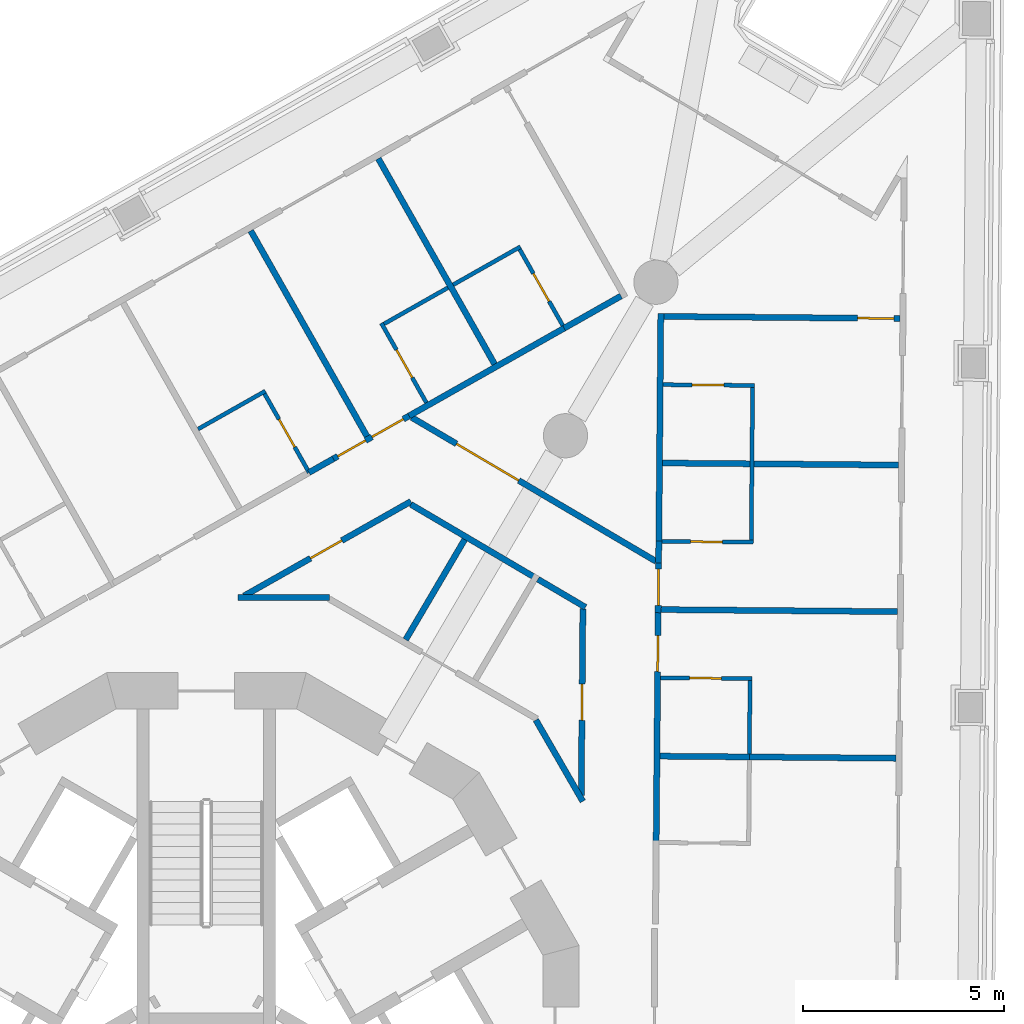
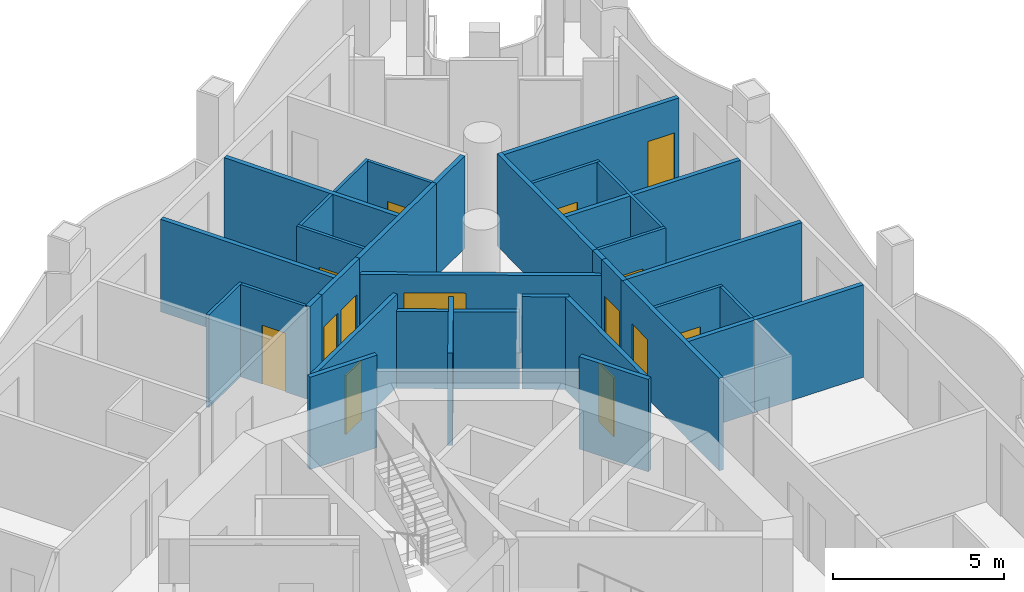
# One storey, part 9 of 17: 34 walls, 14 doors, 14 openings.
"""IFC4 building model written with IfcOpenShell, lengths in metres."""

from ifc_helpers import new_model, si_unit, direction, frame, frame_2d, origin, place, context, subcontext, project, spatial, rectangle, extrude, material, layer, layer_set, type_object, element, fill, save


model = new_model("IFC4")

# Units and contexts
model_context = context("Model", 3, precision=1e-05, world=origin(), true_north=direction((0.0, 1.0)))
body_context = subcontext(model_context, "Body", "Model", "MODEL_VIEW")
ifc_project = project(units=[si_unit("LENGTHUNIT", "METRE"), si_unit("AREAUNIT", "SQUARE_METRE"), si_unit("VOLUMEUNIT", "CUBIC_METRE"), si_unit("PLANEANGLEUNIT", "RADIAN"), si_unit("MASSUNIT", "GRAM", prefix="KILO")], contexts=[model_context])

# Site, building, storey
site_placement = place(None, origin())
site = spatial("IfcSite", under=ifc_project, at=site_placement, CompositionType="ELEMENT")
building_placement = place(site_placement, origin())
building = spatial("IfcBuilding", under=site, at=building_placement, Name="Trine Commons Tower", CompositionType="ELEMENT")
storey_placement = place(building_placement, frame((0.0, 0.0, 179.10009765625)))
storey = spatial("IfcBuildingStorey", under=building, at=storey_placement, Name="L46", CompositionType="ELEMENT", Elevation=179.10009765625)

# Wall
ifc_material_1 = material(Name="Gypsum plasterboard on steel stud", Category="steel")
ifc_layer_1 = layer(ifc_material_1, 0.14990234375)
ifc_layer_set_1 = layer_set([ifc_layer_1], Name="Gypsum plasterboard on steel stud")
wall_type_1 = type_object("IfcWallType", Name="Unit and corridor wall 150 mm, EI 60", PredefinedType="PARTITIONING", material=ifc_layer_set_1)
wall_1_placement = place(storey_placement, frame((80.79296875, 73.64794921875, 0.0), z_axis=(0.0, 0.0, 1.0), x_axis=(1.0, 0.0, 0.0)))
element("IfcWall", 1, at=wall_1_placement, inside=storey, type_object=wall_type_1, Name="Partition 072", PredefinedType="PARTITIONING", context=body_context, shape_type="SweptSolid", body=[
    extrude(rectangle(XDim=2.26904296875, YDim=0.14990234375, at=frame_2d((1.134521484375, 0.0))), origin(), (0.0, 0.0, 1.0), 3.2998046875),
])

# Wall, opening, door
wall_2_placement = place(storey_placement, frame((80.937255859375, 73.684814453125, 0.0), z_axis=(0.0, 0.0, 1.0), x_axis=(0.870319748897, 0.492487090876, 0.0)))
wall_2 = element("IfcWall", 2, at=wall_2_placement, inside=storey, type_object=wall_type_1, Name="Partition 073", PredefinedType="PARTITIONING", context=body_context, shape_type="SweptSolid", body=[
    extrude(rectangle(XDim=4.77197265625, YDim=0.14990234375, at=frame_2d((2.385986328125, 0.0))), origin(), (0.0, 0.0, 1.0), 3.2998046875),
])
opening_1_placement = place(wall_2_placement, frame((1.8984375, 0.0, 0.0)))
opening_1 = element("IfcOpeningElement", 3, at=opening_1_placement, cuts=wall_2, Name="Opening D-5B31", PredefinedType="OPENING", context=body_context, shape_type="SweptSolid", body=[
    extrude(rectangle(XDim=0.89990234375, YDim=2.10009765625, at=frame_2d((0.449951171875, 1.050048828125))), frame((0.0, 0.0849609375, 0.0), z_axis=(0.0, -1.0, 0.0), x_axis=(1.0, 0.0, 0.0)), (0.0, 0.0, 1.0), 0.169921875),
])
ifc_material_2 = material(Name="Timber fire door set", Category="wood")
door_type_1 = type_object("IfcDoorType", Name="Service door 900 x 2100, FD30S", OperationType="NOTDEFINED", PredefinedType="DOOR", material=ifc_material_2)
door_1_placement = place(opening_1_placement, frame((0.89990234375, 0.0, 0.0), z_axis=(0.0, 0.0, 1.0), x_axis=(-1.0, 0.0, 0.0)))
door_1 = element("IfcDoor", 4, at=door_1_placement, inside=storey, type_object=door_type_1, Name="Door D-5B31", OperationType="SINGLE_SWING_RIGHT", OverallHeight=2.10009765625, OverallWidth=0.89990234375, PredefinedType="DOOR", context=body_context, shape_type="SweptSolid", body=[
    extrude(rectangle(XDim=0.89990234375, YDim=2.10009765625, at=frame_2d((0.449951171875, 1.050048828125))), frame((0.0, 0.02490234375, 0.0), z_axis=(0.0, -1.0, 0.0), x_axis=(1.0, 0.0, 0.0)), (0.0, 0.0, 1.0), 0.050048828125),
])
fill(opening_1, door_1)

# Walls
wall_3_placement = place(storey_placement, frame((81.103759765625, 82.769287109375, 0.0), z_axis=(0.0, 0.0, 1.0), x_axis=(0.492361245758, -0.870390948756, 0.0)))
element("IfcWall", 5, at=wall_3_placement, inside=storey, type_object=wall_type_1, Name="Partition 074", PredefinedType="PARTITIONING", context=body_context, shape_type="SweptSolid", body=[
    extrude(rectangle(XDim=5.87451171875, YDim=0.14990234375, at=frame_2d((2.937255859375, 0.0))), origin(), (0.0, 0.0, 1.0), 3.2998046875),
])
wall_4_placement = place(storey_placement, frame((82.552978515625, 76.7529296875, 0.0), z_axis=(0.0, 0.0, 1.0), x_axis=(0.869982154761, 0.493083208391, 0.0)))
element("IfcWall", 6, at=wall_4_placement, inside=storey, type_object=wall_type_1, Name="Partition 077", PredefinedType="PARTITIONING", context=body_context, shape_type="SweptSolid", body=[
    extrude(rectangle(XDim=0.69775390625, YDim=0.14990234375, at=frame_2d((0.348876953125, 0.0))), origin(), (0.0, 0.0, 1.0), 3.2998046875),
])

# Wall, openings, doors
wall_5_placement = place(storey_placement, frame((83.159912109375, 77.096923828125, 0.0), z_axis=(0.0, 0.0, 1.0), x_axis=(0.870310669697, 0.49250313523, 0.0)))
wall_5 = element("IfcWall", 7, at=wall_5_placement, inside=storey, type_object=wall_type_1, Name="Partition 080", PredefinedType="PARTITIONING", context=body_context, shape_type="SweptSolid", body=[
    extrude(rectangle(XDim=2.164794921875, YDim=0.14990234375, at=frame_2d((1.08251953125, 0.0))), origin(), (0.0, 0.0, 1.0), 3.2998046875),
])
opening_2_placement = place(wall_5_placement, frame((0.123046875, 0.0, 0.0)))
opening_2 = element("IfcOpeningElement", 8, at=opening_2_placement, cuts=wall_5, Name="Opening D-5B12", PredefinedType="OPENING", context=body_context, shape_type="SweptSolid", body=[
    extrude(rectangle(XDim=0.800048828125, YDim=2.10009765625, at=frame_2d((0.39990234375, 1.050048828125))), frame((0.0, 0.0849609375, 0.0), z_axis=(0.0, -1.0, 0.0), x_axis=(1.0, 0.0, 0.0)), (0.0, 0.0, 1.0), 0.169921875),
])
opening_3_placement = place(wall_5_placement, frame((1.10302734375, 0.0, 0.0)))
opening_3 = element("IfcOpeningElement", 9, at=opening_3_placement, cuts=wall_5, Name="Opening D-5B13", PredefinedType="OPENING", context=body_context, shape_type="SweptSolid", body=[
    extrude(rectangle(XDim=0.89990234375, YDim=2.10009765625, at=frame_2d((0.449951171875, 1.050048828125))), frame((0.0, 0.0849609375, 0.0), z_axis=(0.0, -1.0, 0.0), x_axis=(1.0, 0.0, 0.0)), (0.0, 0.0, 1.0), 0.169921875),
])
door_type_2 = type_object("IfcDoorType", Name="Bedroom door 800 x 2100, FD30S", OperationType="NOTDEFINED", PredefinedType="DOOR", material=ifc_material_2)
door_2_placement = place(opening_2_placement, origin())
door_2 = element("IfcDoor", 10, at=door_2_placement, inside=storey, type_object=door_type_2, Name="Door D-5B12", OperationType="SINGLE_SWING_LEFT", OverallHeight=2.10009765625, OverallWidth=0.800048828125, PredefinedType="DOOR", context=body_context, shape_type="SweptSolid", body=[
    extrude(rectangle(XDim=0.800048828125, YDim=2.10009765625, at=frame_2d((0.39990234375, 1.050048828125))), frame((0.0, 0.02490234375, 0.0), z_axis=(0.0, -1.0, 0.0), x_axis=(1.0, 0.0, 0.0)), (0.0, 0.0, 1.0), 0.050048828125),
])
fill(opening_2, door_2)
door_type_3 = type_object("IfcDoorType", Name="Bedroom door 900 x 2100, FD30S", OperationType="NOTDEFINED", PredefinedType="DOOR", material=ifc_material_2)
door_3_placement = place(opening_3_placement, origin())
door_3 = element("IfcDoor", 11, at=door_3_placement, inside=storey, type_object=door_type_3, Name="Door D-5B13", OperationType="SINGLE_SWING_RIGHT", OverallHeight=2.10009765625, OverallWidth=0.89990234375, PredefinedType="DOOR", context=body_context, shape_type="SweptSolid", body=[
    extrude(rectangle(XDim=0.89990234375, YDim=2.10009765625, at=frame_2d((0.449951171875, 1.050048828125))), frame((0.0, 0.02490234375, 0.0), z_axis=(0.0, -1.0, 0.0), x_axis=(1.0, 0.0, 0.0)), (0.0, 0.0, 1.0), 0.050048828125),
])
fill(opening_3, door_3)

# Walls
wall_6_placement = place(storey_placement, frame((84.27880859375, 84.565185546875, 0.0), z_axis=(0.0, 0.0, 1.0), x_axis=(0.4923790567, -0.870380873252, 0.0)))
element("IfcWall", 12, at=wall_6_placement, inside=storey, type_object=wall_type_1, Name="Partition 085", PredefinedType="PARTITIONING", context=body_context, shape_type="SweptSolid", body=[
    extrude(rectangle(XDim=5.874267578125, YDim=0.14990234375, at=frame_2d((2.93701171875, 0.0))), origin(), (0.0, 0.0, 1.0), 3.2998046875),
])
wall_7_placement = place(storey_placement, frame((84.960205078125, 72.595703125, 0.0), z_axis=(0.0, 0.0, 1.0), x_axis=(0.507595999699, 0.861595207212, 0.0)))
element("IfcWall", 13, at=wall_7_placement, inside=storey, type_object=wall_type_1, Name="Partition 092", PredefinedType="PARTITIONING", context=body_context, shape_type="SweptSolid", body=[
    extrude(rectangle(XDim=2.8896484375, YDim=0.14990234375, at=frame_2d((1.44482421875, 0.0))), origin(), (0.0, 0.0, 1.0), 3.2998046875),
])
wall_8_placement = place(storey_placement, frame((85.089599609375, 75.9599609375, 0.0), z_axis=(0.0, 0.0, 1.0), x_axis=(0.861618447689, -0.507556549166, 0.0)))
element("IfcWall", 14, at=wall_8_placement, inside=storey, type_object=wall_type_1, Name="Partition 093", PredefinedType="PARTITIONING", context=body_context, shape_type="SweptSolid", body=[
    extrude(rectangle(XDim=3.599365234375, YDim=0.14990234375, at=frame_2d((1.7998046875, 0.0))), origin(), (0.0, 0.0, 1.0), 2.75),
])
wall_9_placement = place(storey_placement, frame((85.0439453125, 78.1630859375, 0.0), z_axis=(0.0, 0.0, 1.0), x_axis=(0.870383507411, 0.492374400256, 0.0)))
element("IfcWall", 15, at=wall_9_placement, inside=storey, type_object=wall_type_1, Name="Partition 094", PredefinedType="PARTITIONING", context=body_context, shape_type="SweptSolid", body=[
    extrude(rectangle(XDim=4.4892578125, YDim=0.14990234375, at=frame_2d((2.24462890625, 0.0))), origin(), (0.0, 0.0, 1.0), 3.2998046875),
])

# Wall, opening, door
wall_10_placement = place(storey_placement, frame((85.108642578125, 78.125, 0.0), z_axis=(0.0, 0.0, 1.0), x_axis=(0.861598717736, -0.507590040875, 0.0)))
wall_10 = element("IfcWall", 16, at=wall_10_placement, inside=storey, type_object=wall_type_1, Name="Partition 095", PredefinedType="PARTITIONING", context=body_context, shape_type="SweptSolid", body=[
    extrude(rectangle(XDim=7.056396484375, YDim=0.14990234375, at=frame_2d((3.5283203125, 0.0))), origin(), (0.0, 0.0, 1.0), 2.75),
])
opening_4_placement = place(wall_10_placement, frame((1.29296875, 0.0, 0.0)))
opening_4 = element("IfcOpeningElement", 17, at=opening_4_placement, cuts=wall_10, Name="Opening D-5B01", PredefinedType="OPENING", context=body_context, shape_type="SweptSolid", body=[
    extrude(rectangle(XDim=1.800048828125, YDim=2.10009765625, at=frame_2d((0.89990234375, 1.050048828125))), frame((0.0, 0.0849609375, 0.0), z_axis=(0.0, -1.0, 0.0), x_axis=(1.0, 0.0, 0.0)), (0.0, 0.0, 1.0), 0.169921875),
])
door_type_4 = type_object("IfcDoorType", Name="Cluster entrance door 1800 x 2100, double leaf, FD30S", OperationType="DOUBLE_DOOR_DOUBLE_SWING", PredefinedType="DOOR", material=ifc_material_2)
door_4_placement = place(opening_4_placement, origin())
door_4 = element("IfcDoor", 18, at=door_4_placement, inside=storey, type_object=door_type_4, Name="Door D-5B01", OperationType="DOUBLE_DOOR_DOUBLE_SWING", OverallHeight=2.10009765625, OverallWidth=1.800048828125, PredefinedType="DOOR", context=body_context, shape_type="SweptSolid", body=[
    extrude(rectangle(XDim=1.800048828125, YDim=2.10009765625, at=frame_2d((0.89990234375, 1.050048828125))), frame((0.0, 0.02490234375, 0.0), z_axis=(0.0, -1.0, 0.0), x_axis=(1.0, 0.0, 0.0)), (0.0, 0.0, 1.0), 0.050048828125),
])
fill(opening_4, door_4)

# Walls
wall_11_placement = place(storey_placement, frame((88.198486328125, 70.595947265625, 0.0), z_axis=(0.0, 0.0, 1.0), x_axis=(0.500005931509, -0.866021979199, 0.0)))
element("IfcWall", 19, at=wall_11_placement, inside=storey, type_object=wall_type_1, Name="Partition 110", PredefinedType="PARTITIONING", context=body_context, shape_type="SweptSolid", body=[
    extrude(rectangle(XDim=2.3359375, YDim=0.14990234375, at=frame_2d((1.16796875, 0.0))), origin(), (0.0, 0.0, 1.0), 3.2998046875),
])
wall_12_placement = place(storey_placement, frame((88.24951171875, 74.098876953125, 0.0), z_axis=(0.0, 0.0, 1.0), x_axis=(0.861463535888, -0.507819432805, 0.0)))
element("IfcWall", 20, at=wall_12_placement, inside=storey, type_object=wall_type_1, Name="Partition 111", PredefinedType="PARTITIONING", context=body_context, shape_type="SweptSolid", body=[
    extrude(rectangle(XDim=1.37451171875, YDim=0.14990234375, at=frame_2d((0.687255859375, 0.0))), origin(), (0.0, 0.0, 1.0), 3.2998046875),
])
wall_13_placement = place(storey_placement, frame((88.902099609375, 80.344970703125, 0.0), z_axis=(0.0, 0.0, 1.0), x_axis=(0.870168163768, 0.492754874927, 0.0)))
element("IfcWall", 21, at=wall_13_placement, inside=storey, type_object=wall_type_1, Name="Partition 113", PredefinedType="PARTITIONING", context=body_context, shape_type="SweptSolid", body=[
    extrude(rectangle(XDim=1.62548828125, YDim=0.14990234375, at=frame_2d((0.812744140625, 0.0))), origin(), (0.0, 0.0, 1.0), 3.2998046875),
])

# Wall, opening, door
wall_14_placement = place(storey_placement, frame((89.32763671875, 68.716064453125, 0.0), z_axis=(0.0, 0.0, 1.0), x_axis=(0.008771592358, 0.999961528844, 0.0)))
wall_14 = element("IfcWall", 22, at=wall_14_placement, inside=storey, type_object=wall_type_1, Name="Partition 117", PredefinedType="PARTITIONING", context=body_context, shape_type="SweptSolid", body=[
    extrude(rectangle(XDim=4.648193359375, YDim=0.14990234375, at=frame_2d((2.32421875, 0.0))), origin(), (0.0, 0.0, 1.0), 3.2998046875),
])
opening_5_placement = place(wall_14_placement, frame((1.8740234375, 0.0, 0.0)))
opening_5 = element("IfcOpeningElement", 23, at=opening_5_placement, cuts=wall_14, Name="Opening D-5B33", PredefinedType="OPENING", context=body_context, shape_type="SweptSolid", body=[
    extrude(rectangle(XDim=0.89990234375, YDim=2.10009765625, at=frame_2d((0.449951171875, 1.050048828125))), frame((0.0, 0.0849609375, 0.0), z_axis=(0.0, -1.0, 0.0), x_axis=(1.0, 0.0, 0.0)), (0.0, 0.0, 1.0), 0.169921875),
])
door_5_placement = place(opening_5_placement, origin())
door_5 = element("IfcDoor", 24, at=door_5_placement, inside=storey, type_object=door_type_1, Name="Door D-5B33", OperationType="SINGLE_SWING_RIGHT", OverallHeight=2.10009765625, OverallWidth=0.89990234375, PredefinedType="DOOR", context=body_context, shape_type="SweptSolid", body=[
    extrude(rectangle(XDim=0.89990234375, YDim=2.10009765625, at=frame_2d((0.449951171875, 1.050048828125))), frame((0.0, 0.02490234375, 0.0), z_axis=(0.0, -1.0, 0.0), x_axis=(1.0, 0.0, 0.0)), (0.0, 0.0, 1.0), 0.050048828125),
])
fill(opening_5, door_5)

wall_15_placement = place(storey_placement, frame((91.19189453125, 67.54296875, 0.0), z_axis=(0.0, 0.0, 1.0), x_axis=(0.008789667593, 0.999961370126, 0.0)))
wall_15 = element("IfcWall", 25, at=wall_15_placement, inside=storey, type_object=wall_type_1, Name="Partition 132", PredefinedType="PARTITIONING", context=body_context, shape_type="SweptSolid", body=[
    extrude(rectangle(XDim=5.80517578125, YDim=0.14990234375, at=frame_2d((2.902587890625, 0.0))), origin(), (0.0, 0.0, 1.0), 3.2998046875),
])
opening_6_placement = place(wall_15_placement, frame((4.254150390625, 0.0, 0.0)))
opening_6 = element("IfcOpeningElement", 26, at=opening_6_placement, cuts=wall_15, Name="Opening D-5B17", PredefinedType="OPENING", context=body_context, shape_type="SweptSolid", body=[
    extrude(rectangle(XDim=0.89990234375, YDim=2.10009765625, at=frame_2d((0.449951171875, 1.050048828125))), frame((0.0, 0.0849609375, 0.0), z_axis=(0.0, -1.0, 0.0), x_axis=(1.0, 0.0, 0.0)), (0.0, 0.0, 1.0), 0.169921875),
])
door_6_placement = place(opening_6_placement, frame((0.89990234375, 0.0, 0.0), z_axis=(0.0, 0.0, 1.0), x_axis=(-1.0, 0.0, 0.0)))
door_6 = element("IfcDoor", 27, at=door_6_placement, inside=storey, type_object=door_type_3, Name="Door D-5B17", OperationType="SINGLE_SWING_LEFT", OverallHeight=2.10009765625, OverallWidth=0.89990234375, PredefinedType="DOOR", context=body_context, shape_type="SweptSolid", body=[
    extrude(rectangle(XDim=0.89990234375, YDim=2.10009765625, at=frame_2d((0.449951171875, 1.050048828125))), frame((0.0, 0.02490234375, 0.0), z_axis=(0.0, -1.0, 0.0), x_axis=(1.0, 0.0, 0.0)), (0.0, 0.0, 1.0), 0.050048828125),
])
fill(opening_6, door_6)

# Wall
wall_16_placement = place(storey_placement, frame((91.285888671875, 69.6962890625, 0.0), z_axis=(0.0, 0.0, 1.0), x_axis=(0.999962435149, -0.008667657711, 0.0)))
element("IfcWall", 28, at=wall_16_placement, inside=storey, type_object=wall_type_1, Name="Partition 134", PredefinedType="PARTITIONING", context=body_context, shape_type="SweptSolid", body=[
    extrude(rectangle(XDim=2.22509765625, YDim=0.14990234375, at=frame_2d((1.112548828125, 0.0))), origin(), (0.0, 0.0, 1.0), 3.2998046875),
])

# Wall, opening, door
wall_17_placement = place(storey_placement, frame((91.242431640625, 73.264892578125, 0.0), z_axis=(0.0, 0.0, 1.0), x_axis=(0.008465930109, 0.999964163372, 0.0)))
wall_17 = element("IfcWall", 29, at=wall_17_placement, inside=storey, type_object=wall_type_1, Name="Partition 136", PredefinedType="PARTITIONING", context=body_context, shape_type="SweptSolid", body=[
    extrude(rectangle(XDim=1.239990234375, YDim=0.14990234375, at=frame_2d((0.6201171875, 0.0))), origin(), (0.0, 0.0, 1.0), 3.2998046875),
])
opening_7_placement = place(wall_17_placement, frame((0.18505859375, 0.0, 0.0)))
opening_7 = element("IfcOpeningElement", 30, at=opening_7_placement, cuts=wall_17, Name="Opening D-5B16", PredefinedType="OPENING", context=body_context, shape_type="SweptSolid", body=[
    extrude(rectangle(XDim=0.89990234375, YDim=2.10009765625, at=frame_2d((0.449951171875, 1.050048828125))), frame((0.0, 0.0849609375, 0.0), z_axis=(0.0, -1.0, 0.0), x_axis=(1.0, 0.0, 0.0)), (0.0, 0.0, 1.0), 0.169921875),
])
door_7_placement = place(opening_7_placement, frame((0.89990234375, 0.0, 0.0), z_axis=(0.0, 0.0, 1.0), x_axis=(-1.0, 0.0, 0.0)))
door_7 = element("IfcDoor", 31, at=door_7_placement, inside=storey, type_object=door_type_3, Name="Door D-5B16", OperationType="SINGLE_SWING_LEFT", OverallHeight=2.10009765625, OverallWidth=0.89990234375, PredefinedType="DOOR", context=body_context, shape_type="SweptSolid", body=[
    extrude(rectangle(XDim=0.89990234375, YDim=2.10009765625, at=frame_2d((0.449951171875, 1.050048828125))), frame((0.0, 0.02490234375, 0.0), z_axis=(0.0, -1.0, 0.0), x_axis=(1.0, 0.0, 0.0)), (0.0, 0.0, 1.0), 0.050048828125),
])
fill(opening_7, door_7)

# Walls
wall_18_placement = place(storey_placement, frame((91.318115234375, 73.34326171875, 0.0), z_axis=(0.0, 0.0, 1.0), x_axis=(0.999962270343, -0.008686650089, 0.0)))
element("IfcWall", 32, at=wall_18_placement, inside=storey, type_object=wall_type_1, Name="Partition 137", PredefinedType="PARTITIONING", context=body_context, shape_type="SweptSolid", body=[
    extrude(rectangle(XDim=5.8740234375, YDim=0.14990234375, at=frame_2d((2.93701171875, 0.0))), origin(), (0.0, 0.0, 1.0), 3.2998046875),
])
wall_19_placement = place(storey_placement, frame((91.2529296875, 74.5048828125, 0.0), z_axis=(0.0, 0.0, 1.0), x_axis=(0.009493243084, 0.999954938153, 0.0)))
element("IfcWall", 33, at=wall_19_placement, inside=storey, type_object=wall_type_1, Name="Partition 138", PredefinedType="PARTITIONING", context=body_context, shape_type="SweptSolid", body=[
    extrude(rectangle(XDim=0.5400390625, YDim=0.14990234375, at=frame_2d((0.27001953125, 0.0))), origin(), (0.0, 0.0, 1.0), 3.2998046875),
])
wall_20_placement = place(storey_placement, frame((91.257568359375, 74.987060546875, 0.0), z_axis=(0.0, 0.0, 1.0), x_axis=(0.008740552131, 0.999961800645, 0.0)))
element("IfcWall", 34, at=wall_20_placement, inside=storey, type_object=wall_type_1, Name="Partition 139", PredefinedType="PARTITIONING", context=body_context, shape_type="SweptSolid", body=[
    extrude(rectangle(XDim=5.72607421875, YDim=0.14990234375, at=frame_2d((2.863037109375, 0.0))), origin(), (0.0, 0.0, 1.0), 3.2998046875),
])
wall_21_placement = place(storey_placement, frame((91.35009765625, 76.990234375, 0.0), z_axis=(0.0, 0.0, 1.0), x_axis=(0.999962273479, -0.008686289076, 0.0)))
element("IfcWall", 35, at=wall_21_placement, inside=storey, type_object=wall_type_1, Name="Partition 141", PredefinedType="PARTITIONING", context=body_context, shape_type="SweptSolid", body=[
    extrude(rectangle(XDim=5.874267578125, YDim=0.14990234375, at=frame_2d((2.93701171875, 0.0))), origin(), (0.0, 0.0, 1.0), 3.2998046875),
])

# Wall, opening, door
wall_22_placement = place(storey_placement, frame((91.382080078125, 80.63720703125, 0.0), z_axis=(0.0, 0.0, 1.0), x_axis=(0.999962273479, -0.008686289076, 0.0)))
wall_22 = element("IfcWall", 36, at=wall_22_placement, inside=storey, type_object=wall_type_1, Name="Partition 143", PredefinedType="PARTITIONING", context=body_context, shape_type="SweptSolid", body=[
    extrude(rectangle(XDim=5.874267578125, YDim=0.14990234375, at=frame_2d((2.93701171875, 0.0))), origin(), (0.0, 0.0, 1.0), 3.2998046875),
])
opening_8_placement = place(wall_22_placement, frame((4.82421875, 0.0, 0.0)))
opening_8 = element("IfcOpeningElement", 37, at=opening_8_placement, cuts=wall_22, Name="Opening D-5B15", PredefinedType="OPENING", context=body_context, shape_type="SweptSolid", body=[
    extrude(rectangle(XDim=0.89990234375, YDim=2.10009765625, at=frame_2d((0.449951171875, 1.050048828125))), frame((0.0, 0.0849609375, 0.0), z_axis=(0.0, -1.0, 0.0), x_axis=(1.0, 0.0, 0.0)), (0.0, 0.0, 1.0), 0.169921875),
])
door_8_placement = place(opening_8_placement, frame((0.89990234375, 0.0, 0.0), z_axis=(0.0, 0.0, 1.0), x_axis=(-1.0, 0.0, 0.0)))
door_8 = element("IfcDoor", 38, at=door_8_placement, inside=storey, type_object=door_type_3, Name="Door D-5B15", OperationType="SINGLE_SWING_LEFT", OverallHeight=2.10009765625, OverallWidth=0.89990234375, PredefinedType="DOOR", context=body_context, shape_type="SweptSolid", body=[
    extrude(rectangle(XDim=0.89990234375, YDim=2.10009765625, at=frame_2d((0.449951171875, 1.050048828125))), frame((0.0, 0.02490234375, 0.0), z_axis=(0.0, -1.0, 0.0), x_axis=(1.0, 0.0, 0.0)), (0.0, 0.0, 1.0), 0.050048828125),
])
fill(opening_8, door_8)

# Walls
wall_23_placement = place(storey_placement, frame((93.510986328125, 69.677001953125, 0.0), z_axis=(0.0, 0.0, 1.0), x_axis=(0.999959811346, -0.008965249212, 0.0)))
element("IfcWall", 39, at=wall_23_placement, inside=storey, type_object=wall_type_1, Name="Partition 147", PredefinedType="PARTITIONING", context=body_context, shape_type="SweptSolid", body=[
    extrude(rectangle(XDim=3.649169921875, YDim=0.14990234375, at=frame_2d((1.82470703125, 0.0))), origin(), (0.0, 0.0, 1.0), 3.2998046875),
])
ifc_layer_2 = layer(ifc_material_1, 0.10009765625)
ifc_layer_set_2 = layer_set([ifc_layer_2], Name="Gypsum plasterboard on steel stud")
wall_type_2 = type_object("IfcWallType", Name="Unit partition 100 mm, no rating", PredefinedType="PARTITIONING", material=ifc_layer_set_2)
wall_24_placement = place(storey_placement, frame((79.792236328125, 77.833984375, 0.0), z_axis=(0.0, 0.0, 1.0), x_axis=(0.870428144139, 0.49229548636, 0.0)))
element("IfcWall", 40, at=wall_24_placement, inside=storey, type_object=wall_type_2, Name="Partition 067", PredefinedType="PARTITIONING", context=body_context, shape_type="SweptSolid", body=[
    extrude(rectangle(XDim=1.924560546875, YDim=0.10009765625, at=frame_2d((0.96240234375, 0.0))), origin(), (0.0, 0.0, 1.0), 3.2998046875),
])

# Wall, opening, door
wall_25_placement = place(storey_placement, frame((81.448486328125, 78.71337890625, 0.0), z_axis=(0.0, 0.0, 1.0), x_axis=(0.492207424062, -0.870477944406, 0.0)))
wall_25 = element("IfcWall", 41, at=wall_25_placement, inside=storey, type_object=wall_type_2, Name="Partition 075", PredefinedType="PARTITIONING", context=body_context, shape_type="SweptSolid", body=[
    extrude(rectangle(XDim=2.25, YDim=0.10009765625, at=frame_2d((1.125, 0.0))), origin(), (0.0, 0.0, 1.0), 3.2998046875),
])
opening_9_placement = place(wall_25_placement, frame((0.72509765625, 0.0, 0.0)))
opening_9 = element("IfcOpeningElement", 42, at=opening_9_placement, cuts=wall_25, Name="Opening D-5B44", PredefinedType="OPENING", context=body_context, shape_type="SweptSolid", body=[
    extrude(rectangle(XDim=0.800048828125, YDim=2.10009765625, at=frame_2d((0.39990234375, 1.050048828125))), frame((0.0, 0.06005859375, 0.0), z_axis=(0.0, -1.0, 0.0), x_axis=(1.0, 0.0, 0.0)), (0.0, 0.0, 1.0), 0.1201171875),
])
ifc_material_3 = material(Name="Painted timber", Category="wood")
door_type_5 = type_object("IfcDoorType", Name="Internal door 800 x 2100, NOT RATED", OperationType="NOTDEFINED", PredefinedType="DOOR", material=ifc_material_3)
door_9_placement = place(opening_9_placement, origin())
door_9 = element("IfcDoor", 43, at=door_9_placement, inside=storey, type_object=door_type_5, Name="Door D-5B44", OperationType="SINGLE_SWING_RIGHT", OverallHeight=2.10009765625, OverallWidth=0.800048828125, PredefinedType="DOOR", context=body_context, shape_type="SweptSolid", body=[
    extrude(rectangle(XDim=0.800048828125, YDim=2.10009765625, at=frame_2d((0.39990234375, 1.050048828125))), frame((0.0, 0.02490234375, 0.0), z_axis=(0.0, -1.0, 0.0), x_axis=(1.0, 0.0, 0.0)), (0.0, 0.0, 1.0), 0.050048828125),
])
fill(opening_9, door_9)

wall_26_placement = place(storey_placement, frame((84.353515625, 80.471435546875, 0.0), z_axis=(0.0, 0.0, 1.0), x_axis=(0.492690247552, -0.870204757495, 0.0)))
wall_26 = element("IfcWall", 44, at=wall_26_placement, inside=storey, type_object=wall_type_2, Name="Partition 086", PredefinedType="PARTITIONING", context=body_context, shape_type="SweptSolid", body=[
    extrude(rectangle(XDim=2.2744140625, YDim=0.10009765625, at=frame_2d((1.13720703125, 0.0))), origin(), (0.0, 0.0, 1.0), 3.2998046875),
])
opening_10_placement = place(wall_26_placement, frame((0.76220703125, 0.0, 0.0)))
opening_10 = element("IfcOpeningElement", 45, at=opening_10_placement, cuts=wall_26, Name="Opening D-5B45", PredefinedType="OPENING", context=body_context, shape_type="SweptSolid", body=[
    extrude(rectangle(XDim=0.800048828125, YDim=2.10009765625, at=frame_2d((0.39990234375, 1.050048828125))), frame((0.0, 0.06005859375, 0.0), z_axis=(0.0, -1.0, 0.0), x_axis=(1.0, 0.0, 0.0)), (0.0, 0.0, 1.0), 0.1201171875),
])
door_10_placement = place(opening_10_placement, frame((0.800048828125, 0.0, 0.0), z_axis=(0.0, 0.0, 1.0), x_axis=(-1.0, 0.0, 0.0)))
door_10 = element("IfcDoor", 46, at=door_10_placement, inside=storey, type_object=door_type_5, Name="Door D-5B45", OperationType="SINGLE_SWING_LEFT", OverallHeight=2.10009765625, OverallWidth=0.800048828125, PredefinedType="DOOR", context=body_context, shape_type="SweptSolid", body=[
    extrude(rectangle(XDim=0.800048828125, YDim=2.10009765625, at=frame_2d((0.39990234375, 1.050048828125))), frame((0.0, 0.02490234375, 0.0), z_axis=(0.0, -1.0, 0.0), x_axis=(1.0, 0.0, 0.0)), (0.0, 0.0, 1.0), 0.050048828125),
])
fill(opening_10, door_10)

# Walls
wall_27_placement = place(storey_placement, frame((84.42138671875, 80.45263671875, 0.0), z_axis=(0.0, 0.0, 1.0), x_axis=(0.870178952447, 0.492735822443, 0.0)))
element("IfcWall", 47, at=wall_27_placement, inside=storey, type_object=wall_type_2, Name="Partition 087", PredefinedType="PARTITIONING", context=body_context, shape_type="SweptSolid", body=[
    extrude(rectangle(XDim=1.825439453125, YDim=0.10009765625, at=frame_2d((0.91259765625, 0.0))), origin(), (0.0, 0.0, 1.0), 3.2998046875),
])
wall_28_placement = place(storey_placement, frame((86.140380859375, 81.42578125, 0.0), z_axis=(0.0, 0.0, 1.0), x_axis=(0.870343029739, 0.492445946866, 0.0)))
element("IfcWall", 48, at=wall_28_placement, inside=storey, type_object=wall_type_2, Name="Partition 099", PredefinedType="PARTITIONING", context=body_context, shape_type="SweptSolid", body=[
    extrude(rectangle(XDim=1.924560546875, YDim=0.10009765625, at=frame_2d((0.96240234375, 0.0))), origin(), (0.0, 0.0, 1.0), 3.2998046875),
])

# Wall, opening, door
wall_29_placement = place(storey_placement, frame((87.796630859375, 82.305419921875, 0.0), z_axis=(0.0, 0.0, 1.0), x_axis=(0.492593408535, -0.870259578441, 0.0)))
wall_29 = element("IfcWall", 49, at=wall_29_placement, inside=storey, type_object=wall_type_2, Name="Partition 107", PredefinedType="PARTITIONING", context=body_context, shape_type="SweptSolid", body=[
    extrude(rectangle(XDim=2.17529296875, YDim=0.10009765625, at=frame_2d((1.087646484375, 0.0))), origin(), (0.0, 0.0, 1.0), 3.2998046875),
])
opening_11_placement = place(wall_29_placement, frame((0.6875, 0.0, 0.0)))
opening_11 = element("IfcOpeningElement", 50, at=opening_11_placement, cuts=wall_29, Name="Opening D-5B46", PredefinedType="OPENING", context=body_context, shape_type="SweptSolid", body=[
    extrude(rectangle(XDim=0.800048828125, YDim=2.10009765625, at=frame_2d((0.39990234375, 1.050048828125))), frame((0.0, 0.06005859375, 0.0), z_axis=(0.0, -1.0, 0.0), x_axis=(1.0, 0.0, 0.0)), (0.0, 0.0, 1.0), 0.1201171875),
])
door_11_placement = place(opening_11_placement, origin())
door_11 = element("IfcDoor", 51, at=door_11_placement, inside=storey, type_object=door_type_5, Name="Door D-5B46", OperationType="SINGLE_SWING_LEFT", OverallHeight=2.10009765625, OverallWidth=0.800048828125, PredefinedType="DOOR", context=body_context, shape_type="SweptSolid", body=[
    extrude(rectangle(XDim=0.800048828125, YDim=2.10009765625, at=frame_2d((0.39990234375, 1.050048828125))), frame((0.0, 0.02490234375, 0.0), z_axis=(0.0, -1.0, 0.0), x_axis=(1.0, 0.0, 0.0)), (0.0, 0.0, 1.0), 0.050048828125),
])
fill(opening_11, door_11)

wall_30_placement = place(storey_placement, frame((91.303955078125, 71.646240234375, 0.0), z_axis=(0.0, 0.0, 1.0), x_axis=(0.999963114686, -0.008588903712, 0.0)))
wall_30 = element("IfcWall", 52, at=wall_30_placement, inside=storey, type_object=wall_type_2, Name="Partition 135", PredefinedType="PARTITIONING", context=body_context, shape_type="SweptSolid", body=[
    extrude(rectangle(XDim=2.27392578125, YDim=0.10009765625, at=frame_2d((1.136962890625, 0.0))), origin(), (0.0, 0.0, 1.0), 3.2998046875),
])
opening_12_placement = place(wall_30_placement, frame((0.7119140625, 0.0, 0.0)))
opening_12 = element("IfcOpeningElement", 53, at=opening_12_placement, cuts=wall_30, Name="Opening D-5B49", PredefinedType="OPENING", context=body_context, shape_type="SweptSolid", body=[
    extrude(rectangle(XDim=0.800048828125, YDim=2.10009765625, at=frame_2d((0.39990234375, 1.050048828125))), frame((0.0, 0.06005859375, 0.0), z_axis=(0.0, -1.0, 0.0), x_axis=(1.0, 0.0, 0.0)), (0.0, 0.0, 1.0), 0.1201171875),
])
door_12_placement = place(opening_12_placement, origin())
door_12 = element("IfcDoor", 54, at=door_12_placement, inside=storey, type_object=door_type_5, Name="Door D-5B49", OperationType="SINGLE_SWING_LEFT", OverallHeight=2.10009765625, OverallWidth=0.800048828125, PredefinedType="DOOR", context=body_context, shape_type="SweptSolid", body=[
    extrude(rectangle(XDim=0.800048828125, YDim=2.10009765625, at=frame_2d((0.39990234375, 1.050048828125))), frame((0.0, 0.02490234375, 0.0), z_axis=(0.0, -1.0, 0.0), x_axis=(1.0, 0.0, 0.0)), (0.0, 0.0, 1.0), 0.050048828125),
])
fill(opening_12, door_12)

wall_31_placement = place(storey_placement, frame((91.3330078125, 75.040283203125, 0.0), z_axis=(0.0, 0.0, 1.0), x_axis=(0.999962219299, -0.008692524121, 0.0)))
wall_31 = element("IfcWall", 55, at=wall_31_placement, inside=storey, type_object=wall_type_2, Name="Partition 140", PredefinedType="PARTITIONING", context=body_context, shape_type="SweptSolid", body=[
    extrude(rectangle(XDim=2.27490234375, YDim=0.10009765625, at=frame_2d((1.137451171875, 0.0))), origin(), (0.0, 0.0, 1.0), 3.2998046875),
])
opening_13_placement = place(wall_31_placement, frame((0.71240234375, 0.0, 0.0)))
opening_13 = element("IfcOpeningElement", 56, at=opening_13_placement, cuts=wall_31, Name="Opening D-5B48", PredefinedType="OPENING", context=body_context, shape_type="SweptSolid", body=[
    extrude(rectangle(XDim=0.800048828125, YDim=2.10009765625, at=frame_2d((0.39990234375, 1.050048828125))), frame((0.0, 0.06005859375, 0.0), z_axis=(0.0, -1.0, 0.0), x_axis=(1.0, 0.0, 0.0)), (0.0, 0.0, 1.0), 0.1201171875),
])
door_13_placement = place(opening_13_placement, frame((0.800048828125, 0.0, 0.0), z_axis=(0.0, 0.0, 1.0), x_axis=(-1.0, 0.0, 0.0)))
door_13 = element("IfcDoor", 57, at=door_13_placement, inside=storey, type_object=door_type_5, Name="Door D-5B48", OperationType="SINGLE_SWING_RIGHT", OverallHeight=2.10009765625, OverallWidth=0.800048828125, PredefinedType="DOOR", context=body_context, shape_type="SweptSolid", body=[
    extrude(rectangle(XDim=0.800048828125, YDim=2.10009765625, at=frame_2d((0.39990234375, 1.050048828125))), frame((0.0, 0.02490234375, 0.0), z_axis=(0.0, -1.0, 0.0), x_axis=(1.0, 0.0, 0.0)), (0.0, 0.0, 1.0), 0.050048828125),
])
fill(opening_13, door_13)

wall_32_placement = place(storey_placement, frame((91.366943359375, 78.940185546875, 0.0), z_axis=(0.0, 0.0, 1.0), x_axis=(0.999963154254, -0.008584295776, 0.0)))
wall_32 = element("IfcWall", 58, at=wall_32_placement, inside=storey, type_object=wall_type_2, Name="Partition 142", PredefinedType="PARTITIONING", context=body_context, shape_type="SweptSolid", body=[
    extrude(rectangle(XDim=2.275146484375, YDim=0.10009765625, at=frame_2d((1.1376953125, 0.0))), origin(), (0.0, 0.0, 1.0), 3.2998046875),
])
opening_14_placement = place(wall_32_placement, frame((0.71240234375, 0.0, 0.0)))
opening_14 = element("IfcOpeningElement", 59, at=opening_14_placement, cuts=wall_32, Name="Opening D-5B47", PredefinedType="OPENING", context=body_context, shape_type="SweptSolid", body=[
    extrude(rectangle(XDim=0.800048828125, YDim=2.10009765625, at=frame_2d((0.39990234375, 1.050048828125))), frame((0.0, 0.06005859375, 0.0), z_axis=(0.0, -1.0, 0.0), x_axis=(1.0, 0.0, 0.0)), (0.0, 0.0, 1.0), 0.1201171875),
])
door_14_placement = place(opening_14_placement, origin())
door_14 = element("IfcDoor", 60, at=door_14_placement, inside=storey, type_object=door_type_5, Name="Door D-5B47", OperationType="SINGLE_SWING_LEFT", OverallHeight=2.10009765625, OverallWidth=0.800048828125, PredefinedType="DOOR", context=body_context, shape_type="SweptSolid", body=[
    extrude(rectangle(XDim=0.800048828125, YDim=2.10009765625, at=frame_2d((0.39990234375, 1.050048828125))), frame((0.0, 0.02490234375, 0.0), z_axis=(0.0, -1.0, 0.0), x_axis=(1.0, 0.0, 0.0)), (0.0, 0.0, 1.0), 0.050048828125),
])
fill(opening_14, door_14)

# Walls
wall_33_placement = place(storey_placement, frame((93.51171875, 69.751953125, 0.0), z_axis=(0.0, 0.0, 1.0), x_axis=(0.008695323434, 0.999962194961, 0.0)))
element("IfcWall", 61, at=wall_33_placement, inside=storey, type_object=wall_type_2, Name="Partition 146", PredefinedType="PARTITIONING", context=body_context, shape_type="SweptSolid", body=[
    extrude(rectangle(XDim=1.824951171875, YDim=0.10009765625, at=frame_2d((0.91259765625, 0.0))), origin(), (0.0, 0.0, 1.0), 3.2998046875),
])
wall_34_placement = place(storey_placement, frame((93.558349609375, 75.071044921875, 0.0), z_axis=(0.0, 0.0, 1.0), x_axis=(0.008737218686, 0.999961829776, 0.0)))
element("IfcWall", 62, at=wall_34_placement, inside=storey, type_object=wall_type_2, Name="Partition 148", PredefinedType="PARTITIONING", context=body_context, shape_type="SweptSolid", body=[
    extrude(rectangle(XDim=3.80029296875, YDim=0.10009765625, at=frame_2d((1.900146484375, 0.0))), origin(), (0.0, 0.0, 1.0), 3.2998046875),
])

save(model, "model.ifc")
